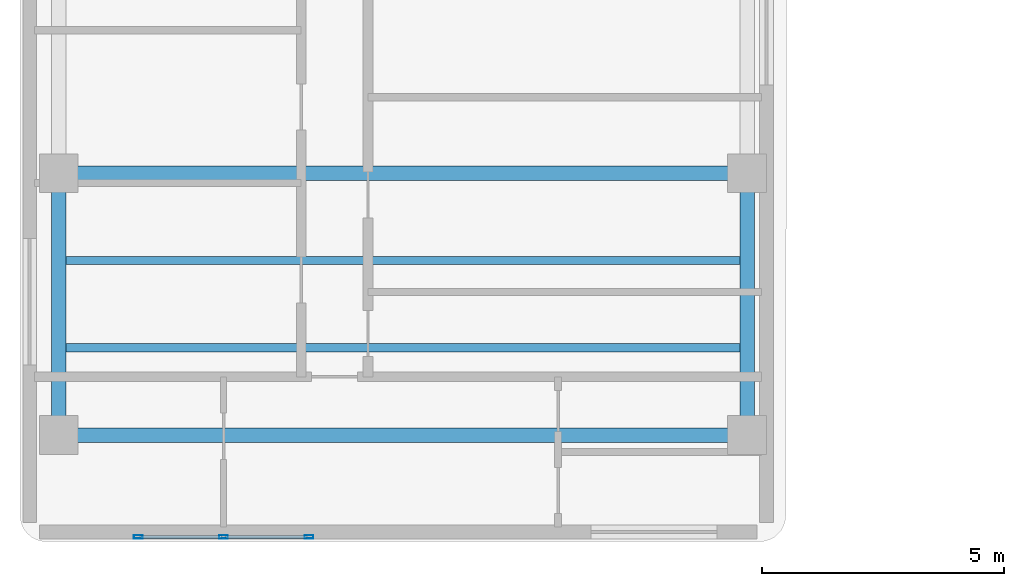
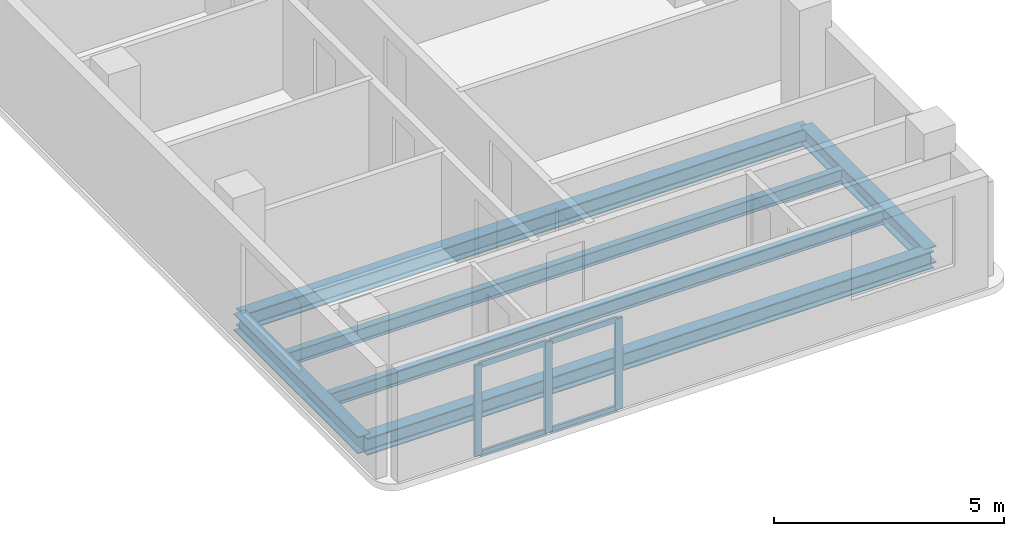
# One storey, part 2 of 9: 7 members, 6 beams, 1 element without a shape of its own.
"""IFC4 building model written with IfcOpenShell, lengths in metres."""

from ifc_helpers import new_model, si_unit, direction, frame, origin, origin_2d, place, context, subcontext, project, spatial, hollow_rectangle, i_section, extrude, material, material_profile, profile_set, type_object, element, aggregate, save


model = new_model("IFC4")

# Units and contexts
model_context = context("Model", 3, precision=1e-05, world=origin(), true_north=direction((0.0, 1.0)))
body_context = subcontext(model_context, "Body", "Model", "MODEL_VIEW")
ifc_project = project(units=[si_unit("LENGTHUNIT", "METRE"), si_unit("AREAUNIT", "SQUARE_METRE"), si_unit("VOLUMEUNIT", "CUBIC_METRE"), si_unit("PLANEANGLEUNIT", "RADIAN"), si_unit("MASSUNIT", "GRAM", prefix="KILO")], contexts=[model_context])

# Site, building, storey
site_placement = place(None, origin())
site = spatial("IfcSite", under=ifc_project, at=site_placement, CompositionType="ELEMENT")
building_placement = place(site_placement, origin())
building = spatial("IfcBuilding", under=site, at=building_placement, Name="Kuzgunbayir Cultural Tower", CompositionType="ELEMENT")
storey_placement = place(building_placement, frame((0.0, 0.0, 247.199951171875)))
storey = spatial("IfcBuildingStorey", under=building, at=storey_placement, Name="L73", CompositionType="ELEMENT", Elevation=247.199951171875)

# Beams
ifc_material_1 = material(Name="Steel S355J2", Category="steel")
ifc_material_profile_1 = material_profile(ifc_material_1, i_section(OverallWidth=0.300048828125, OverallDepth=0.449951171875, WebThickness=0.013916015625, FlangeThickness=0.02587890625, FilletRadius=0.027099609375, at=origin_2d()), Name="HEB 450")
ifc_profile_set_1 = profile_set([ifc_material_profile_1], Name="Steel S355J2")
beam_type_1 = type_object("IfcBeamType", Name="BM-EXT-HEB450", PredefinedType="BEAM", material=ifc_profile_set_1)
for number, where, z_axis, x_axis, name in (
    (1, (5.39990234375, 12.60009765625, -0.39990234375), (0.0, 1.0, 0.0), (-1.0, 0.0, 0.0), "L73 Wing A West Girder 1"),
    (2, (19.60009765625, 12.60009765625, -0.39990234375), (0.0, 1.0, 0.0), (-1.0, 0.0, 0.0), "L73 Wing A East Girder 1"),
):
    element("IfcBeam", number, at=place(storey_placement, frame(where, z_axis=z_axis, x_axis=x_axis)), inside=storey, type_object=beam_type_1, Name=name, PredefinedType="BEAM", context=body_context, shape_type="SweptSolid", body=[
        extrude(i_section(OverallWidth=0.300048828125, OverallDepth=0.449951171875, WebThickness=0.013916015625, FlangeThickness=0.02587890625, FilletRadius=0.027099609375, at=origin_2d()), origin(), (0.0, 0.0, 1.0), 5.39990234375),
    ])
ifc_material_profile_2 = material_profile(ifc_material_1, i_section(OverallWidth=0.300048828125, OverallDepth=0.449951171875, WebThickness=0.013916015625, FlangeThickness=0.02587890625, FilletRadius=0.027099609375, at=origin_2d()), Name="HEB 450")
ifc_profile_set_2 = profile_set([ifc_material_profile_2], Name="Steel S355J2")
beam_type_2 = type_object("IfcBeamType", Name="BM-GIR-HEB450", PredefinedType="BEAM", material=ifc_profile_set_2)
for number, where, z_axis, x_axis, name in (
    (3, (5.39990234375, 12.60009765625, -0.39990234375), (1.0, 0.0, 0.0), (0.0, 1.0, 0.0), "L73 Wing A Transverse Girder 1"),
    (4, (5.39990234375, 18.0, -0.39990234375), (1.0, 0.0, 0.0), (0.0, 1.0, 0.0), "L73 Wing A Transverse Girder 2"),
):
    element("IfcBeam", number, at=place(storey_placement, frame(where, z_axis=z_axis, x_axis=x_axis)), inside=storey, type_object=beam_type_2, Name=name, PredefinedType="BEAM", context=body_context, shape_type="SweptSolid", body=[
        extrude(i_section(OverallWidth=0.300048828125, OverallDepth=0.449951171875, WebThickness=0.013916015625, FlangeThickness=0.02587890625, FilletRadius=0.027099609375, at=origin_2d()), origin(), (0.0, 0.0, 1.0), 14.2001953125),
    ])
ifc_material_profile_3 = material_profile(ifc_material_1, i_section(OverallWidth=0.169921875, OverallDepth=0.360107421875, WebThickness=0.008056640625, FlangeThickness=0.0126953125, FilletRadius=0.01806640625, at=origin_2d()), Name="IPE 360")
ifc_profile_set_3 = profile_set([ifc_material_profile_3], Name="Steel S355J2")
beam_type_3 = type_object("IfcBeamType", Name="BM-JST-IPE360", PredefinedType="JOIST", material=ifc_profile_set_3)
for number, where, z_axis, x_axis, name in (
    (5, (5.550048828125, 14.39990234375, -0.35986328125), (1.0, 0.0, 0.0), (0.0, 1.0, 0.0), "L73 Wing A Secondary Joist 1"),
    (6, (5.550048828125, 16.199951171875, -0.35986328125), (1.0, 0.0, 0.0), (0.0, 1.0, 0.0), "L73 Wing A Secondary Joist 2"),
):
    element("IfcBeam", number, at=place(storey_placement, frame(where, z_axis=z_axis, x_axis=x_axis)), inside=storey, type_object=beam_type_3, Name=name, PredefinedType="JOIST", context=body_context, shape_type="SweptSolid", body=[
        extrude(i_section(OverallWidth=0.169921875, OverallDepth=0.360107421875, WebThickness=0.008056640625, FlangeThickness=0.0126953125, FilletRadius=0.01806640625, at=origin_2d()), origin(), (0.0, 0.0, 1.0), 13.89990234375),
    ])

# Curtain wall, members
ifc_material_2 = material(Name="Anodised Aluminium Framing", Category="aluminium")
curtain_wall_type = type_object("IfcCurtainWallType", Name="CW06-OBSERVATORY", PredefinedType="NOTDEFINED", material=ifc_material_2)
curtain_wall_placement = place(storey_placement, origin())
curtain_wall = element("IfcCurtainWall", 7, at=curtain_wall_placement, inside=storey, type_object=curtain_wall_type, Name="L73 Crown Observatory South Curtain Wall", PredefinedType="NOTDEFINED")
ifc_material_profile_4 = material_profile(ifc_material_2, hollow_rectangle(XDim=0.074951171875, YDim=0.179931640625, WallThickness=0.0048828125, at=origin_2d()), Name="RHS 180x75x5")
ifc_profile_set_4 = profile_set([ifc_material_profile_4], Name="Anodised Aluminium Framing")
member_type_1 = type_object("IfcMemberType", Name="MEM-CW-MULLION-180", PredefinedType="MULLION", material=ifc_profile_set_4)
member_1_placement = place(storey_placement, frame((7.03759765625, 10.5, 0.0), z_axis=(0.0, 0.0, 1.0), x_axis=(0.0, 1.0, 0.0)))
member_1 = element("IfcMember", 8, at=member_1_placement, type_object=member_type_1, Name="CW06 mullion 1", PredefinedType="MULLION", context=body_context, shape_type="SweptSolid", body=[
    extrude(hollow_rectangle(XDim=0.074951171875, YDim=0.179931640625, WallThickness=0.0048828125, at=origin_2d()), origin(), (0.0, 0.0, 1.0), 2.41015625),
])
member_2_placement = place(storey_placement, frame((8.800048828125, 10.5, 0.0), z_axis=(0.0, 0.0, 1.0), x_axis=(0.0, 1.0, 0.0)))
member_2 = element("IfcMember", 9, at=member_2_placement, type_object=member_type_1, Name="CW06 mullion 2", PredefinedType="MULLION", context=body_context, shape_type="SweptSolid", body=[
    extrude(hollow_rectangle(XDim=0.074951171875, YDim=0.179931640625, WallThickness=0.0048828125, at=origin_2d()), origin(), (0.0, 0.0, 1.0), 2.41015625),
])
member_3_placement = place(storey_placement, frame((10.5625, 10.5, 0.0), z_axis=(0.0, 0.0, 1.0), x_axis=(0.0, 1.0, 0.0)))
member_3 = element("IfcMember", 10, at=member_3_placement, type_object=member_type_1, Name="CW06 mullion 3", PredefinedType="MULLION", context=body_context, shape_type="SweptSolid", body=[
    extrude(hollow_rectangle(XDim=0.074951171875, YDim=0.179931640625, WallThickness=0.0048828125, at=origin_2d()), origin(), (0.0, 0.0, 1.0), 2.41015625),
])
ifc_material_profile_5 = material_profile(ifc_material_2, hollow_rectangle(XDim=0.06005859375, YDim=0.14990234375, WallThickness=0.00390625, at=origin_2d()), Name="RHS 150x60x4")
ifc_profile_set_5 = profile_set([ifc_material_profile_5], Name="Anodised Aluminium Framing")
member_type_2 = type_object("IfcMemberType", Name="MEM-CW-TRANSOM-150", PredefinedType="USERDEFINED", material=ifc_profile_set_5)
member_4_placement = place(storey_placement, frame((7.074951171875, 10.5, 0.030029296875), z_axis=(1.0, 0.0, 0.0), x_axis=(0.0, 1.0, 0.0)))
member_4 = element("IfcMember", 11, at=member_4_placement, type_object=member_type_2, Name="CW06 transom 1.1", ObjectType="TRANSOM", PredefinedType="USERDEFINED", context=body_context, shape_type="SweptSolid", body=[
    extrude(hollow_rectangle(XDim=0.06005859375, YDim=0.14990234375, WallThickness=0.00390625, at=origin_2d()), origin(), (0.0, 0.0, 1.0), 1.6875),
])
member_5_placement = place(storey_placement, frame((7.074951171875, 10.5, 2.380126953125), z_axis=(1.0, 0.0, 0.0), x_axis=(0.0, 1.0, 0.0)))
member_5 = element("IfcMember", 12, at=member_5_placement, type_object=member_type_2, Name="CW06 transom 1.2", ObjectType="TRANSOM", PredefinedType="USERDEFINED", context=body_context, shape_type="SweptSolid", body=[
    extrude(hollow_rectangle(XDim=0.06005859375, YDim=0.14990234375, WallThickness=0.00390625, at=origin_2d()), origin(), (0.0, 0.0, 1.0), 1.6875),
])
member_6_placement = place(storey_placement, frame((8.83740234375, 10.5, 0.030029296875), z_axis=(1.0, 0.0, 0.0), x_axis=(0.0, 1.0, 0.0)))
member_6 = element("IfcMember", 13, at=member_6_placement, type_object=member_type_2, Name="CW06 transom 2.1", ObjectType="TRANSOM", PredefinedType="USERDEFINED", context=body_context, shape_type="SweptSolid", body=[
    extrude(hollow_rectangle(XDim=0.06005859375, YDim=0.14990234375, WallThickness=0.00390625, at=origin_2d()), origin(), (0.0, 0.0, 1.0), 1.6875),
])
member_7_placement = place(storey_placement, frame((8.83740234375, 10.5, 2.380126953125), z_axis=(1.0, 0.0, 0.0), x_axis=(0.0, 1.0, 0.0)))
member_7 = element("IfcMember", 14, at=member_7_placement, type_object=member_type_2, Name="CW06 transom 2.2", ObjectType="TRANSOM", PredefinedType="USERDEFINED", context=body_context, shape_type="SweptSolid", body=[
    extrude(hollow_rectangle(XDim=0.06005859375, YDim=0.14990234375, WallThickness=0.00390625, at=origin_2d()), origin(), (0.0, 0.0, 1.0), 1.6875),
])
aggregate(curtain_wall, [member_1, member_2, member_3, member_4, member_5, member_6, member_7])

save(model, "model.ifc")
